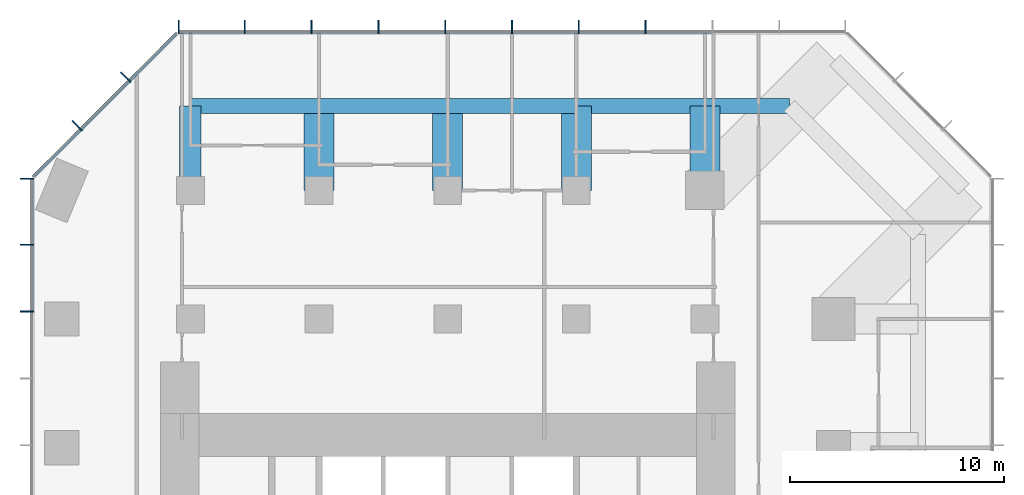
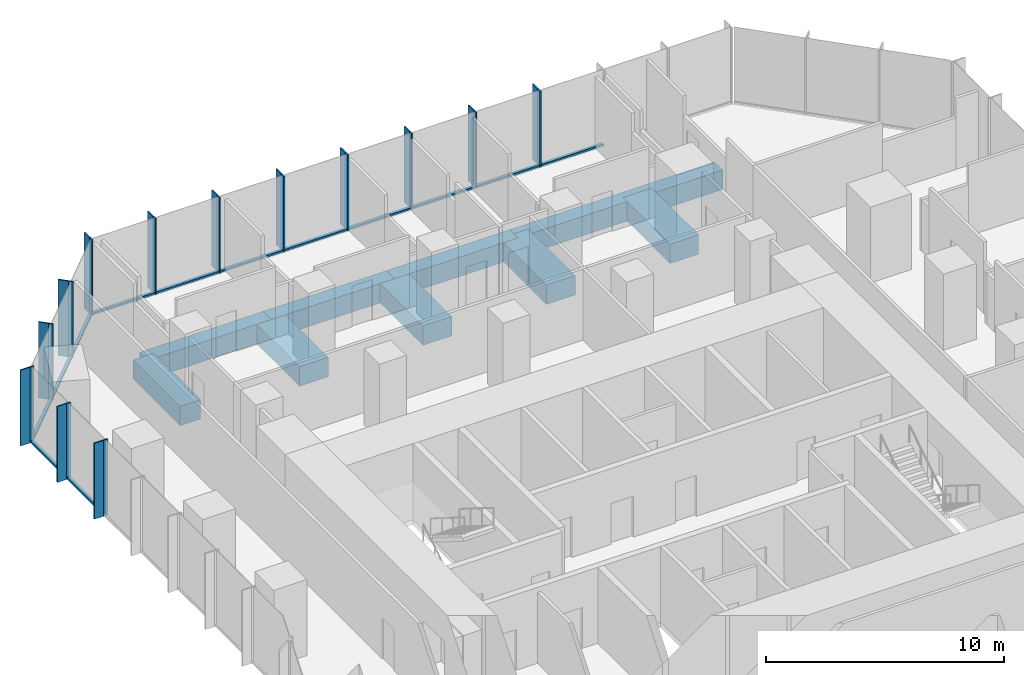
# One storey, part 5 of 11: 39 members, 9 beams, 3 elements without a shape of their own.
"""IFC4 building model written with IfcOpenShell, lengths in metres."""

import ifcopenshell
import ifcopenshell.guid

model = None  # the IFC model being written
_history = None  # IfcOwnerHistory: only IFC2X3 demands one
_inside = {}  # id of a spatial element -> (the spatial element, [elements in it])
_under = {}  # id of a project, library or spatial element -> (it, [spatial elements below it])
_declared = {}  # id of a project -> (the project, [libraries it declares])
_typed = {}  # id of a type object -> (the type object, [elements of that type])
_made_of = {}  # id of a material, layer set ... -> (it, [elements and type objects made of it])


def new_model(schema):
    """Start an empty IFC model of exactly this schema.

    Asked for "IFC4X3", IfcOpenShell would pick the latest addendum, in which some entities
    have other attributes; the version numbers below select the first issue.
    IFC2X3 requires an IfcOwnerHistory on every rooted entity: one is made here for all.
    """
    global model, _history
    if schema == "IFC4X3":
        model = ifcopenshell.file(schema_version=(4, 3, 0, 0))
    else:
        model = ifcopenshell.file(schema=schema)
    _inside.clear()
    _under.clear()
    _declared.clear()
    _typed.clear()
    _made_of.clear()
    _history = None
    if model.schema == "IFC2X3":
        org = make("IfcOrganization", Name="unknown")
        user = make(
            "IfcPersonAndOrganization",
            ThePerson=make("IfcPerson", FamilyName="unknown"),
            TheOrganization=org,
        )
        app = make(
            "IfcApplication",
            ApplicationDeveloper=org,
            Version="unknown",
            ApplicationFullName="unknown",
            ApplicationIdentifier="unknown",
        )
        _history = make(
            "IfcOwnerHistory",
            OwningUser=user,
            OwningApplication=app,
            ChangeAction="ADDED",
            CreationDate=0,
        )
    return model


def make(cls, **values):
    """One entity of the class cls with the attributes given. An attribute that is None is left unset."""
    return model.create_entity(
        cls, **{name: value for name, value in values.items() if value is not None}
    )


def rooted(cls, **values):
    """An entity with a GlobalId (a new one), such as an element, a storey or a relation."""
    return make(cls, GlobalId=ifcopenshell.guid.new(), OwnerHistory=_history, **values)


def si_unit(unit_type, name, prefix=None):
    """IfcSIUnit, for example si_unit("LENGTHUNIT", "METRE", prefix="MILLI")."""
    return make("IfcSIUnit", UnitType=unit_type, Prefix=prefix, Name=name)


def assignment(units):
    """IfcUnitAssignment: the units of a project."""
    return None if units is None else make("IfcUnitAssignment", Units=units)


def point(xyz):
    """IfcCartesianPoint."""
    return None if xyz is None else make("IfcCartesianPoint", Coordinates=xyz)


def direction(xyz):
    """IfcDirection."""
    return None if xyz is None else make("IfcDirection", DirectionRatios=xyz)


def frame(location, z_axis=None, x_axis=None):
    """IfcAxis2Placement3D, a coordinate frame: its origin and axes. An axis left out is left unset."""
    return make(
        "IfcAxis2Placement3D",
        Location=point(location),
        Axis=direction(z_axis),
        RefDirection=direction(x_axis),
    )


def frame_2d(location, x_axis=None):
    """IfcAxis2Placement2D, a coordinate frame in the plane: its origin and x axis."""
    return make(
        "IfcAxis2Placement2D", Location=point(location), RefDirection=direction(x_axis)
    )


def origin():
    """The frame at (0, 0, 0) with its axes left unset."""
    return frame((0.0, 0.0, 0.0))


def origin_2d():
    """The frame at (0, 0) in the plane with its x axis left unset."""
    return frame_2d((0.0, 0.0))


def place(relative_to, where):
    """IfcLocalPlacement: puts the frame where relative to a parent placement (None: the world)."""
    return make(
        "IfcLocalPlacement", PlacementRelTo=relative_to, RelativePlacement=where
    )


def context(
    kind, dimensions, precision=None, world=None, true_north=None, identifier=None
):
    """IfcGeometricRepresentationContext, for example the 3D "Model" context."""
    return make(
        "IfcGeometricRepresentationContext",
        ContextIdentifier=identifier,
        ContextType=kind,
        CoordinateSpaceDimension=dimensions,
        Precision=precision,
        WorldCoordinateSystem=world,
        TrueNorth=true_north,
    )


def subcontext(parent, identifier, kind, view, scale=None):
    """IfcGeometricRepresentationSubContext, for example "Body" below "Model"."""
    return make(
        "IfcGeometricRepresentationSubContext",
        ContextIdentifier=identifier,
        ContextType=kind,
        ParentContext=parent,
        TargetScale=scale,
        TargetView=view,
    )


def project(units=None, contexts=None):
    """IfcProject with its units and contexts."""
    return rooted(
        "IfcProject",
        Name="project",
        RepresentationContexts=contexts,
        UnitsInContext=assignment(units),
    )


def spatial(cls, under=None, at=None, **own):
    """A site, building, storey or space (cls), placed at a placement, below another one or the project."""
    s = rooted(cls, ObjectPlacement=at, **own)
    if under is not None:
        _under.setdefault(under.id(), (under, []))[1].append(s)
    return s


def profile(cls, at=None, kind="AREA", **sizes):
    """A parametric profile (cls). Its sizes go by their IFC names, for example OverallWidth=200.0."""
    return make(cls, ProfileType=kind, Position=at, **sizes)


def rectangle(**sizes):
    """IfcRectangleProfileDef."""
    return profile("IfcRectangleProfileDef", **sizes)


def extrude(swept, where, along, depth):
    """IfcExtrudedAreaSolid: the profile swept, set in the frame where, extruded along a direction by depth."""
    return make(
        "IfcExtrudedAreaSolid",
        SweptArea=swept,
        Position=where,
        ExtrudedDirection=direction(along),
        Depth=depth,
    )


def shape(context_of_items, identifier, shape_type, items):
    """IfcShapeRepresentation: the items that make up one representation, for example the "Body"."""
    return make(
        "IfcShapeRepresentation",
        ContextOfItems=context_of_items,
        RepresentationIdentifier=identifier,
        RepresentationType=shape_type,
        Items=items,
    )


def material(Name=None, Category=None):
    """IfcMaterial."""
    return make("IfcMaterial", Name=Name, Category=Category)


def layer(
    of_material, thickness, ventilated=None, Name=None, Category=None, Priority=None
):
    """IfcMaterialLayer: one layer of a wall or slab, of a material (None: an air gap)."""
    return make(
        "IfcMaterialLayer",
        Material=of_material,
        LayerThickness=thickness,
        IsVentilated=ventilated,
        Name=Name,
        Category=Category,
        Priority=Priority,
    )


def layer_set(layers, Name=None):
    """IfcMaterialLayerSet."""
    return make("IfcMaterialLayerSet", MaterialLayers=layers, LayerSetName=Name)


def material_profile(
    of_material, cross_section, Name=None, Category=None, Priority=None
):
    """IfcMaterialProfile: a cross section and its material."""
    return make(
        "IfcMaterialProfile",
        Name=Name,
        Material=of_material,
        Profile=cross_section,
        Priority=Priority,
        Category=Category,
    )


def profile_set(profiles, Name=None, composite=None):
    """IfcMaterialProfileSet."""
    return make(
        "IfcMaterialProfileSet",
        Name=Name,
        MaterialProfiles=profiles,
        CompositeProfile=composite,
    )


def made_of(thing, what):
    """Note that an element or type object is made of a material, layer set ...; save() writes the relation."""
    if what is not None:
        _made_of.setdefault(what.id(), (what, []))[1].append(thing)
    return thing


def type_object(cls, material=None, **own):
    """A type object (cls), such as IfcWallType, which elements share."""
    return made_of(rooted(cls, **own), material)


def element(
    cls,
    number,
    at=None,
    inside=None,
    cuts=None,
    type_object=None,
    material=None,
    context=None,
    identifier="Body",
    shape_type=None,
    held_by="IfcProductDefinitionShape",
    body=None,
    shapes=None,
    **own,
):
    """One element of the class cls, such as IfcWall. Its Tag is "e" and its number.

    at: its placement. inside: the storey or other place that contains it. cuts: it is an
    opening in that element (IfcRelVoidsElement). A single representation is given by context,
    identifier, shape_type and body (its items); several are given by shapes. held_by: the class
    of the entity that holds the representations. save() writes the other relations.
    """
    e = rooted(cls, Tag="e%d" % number, ObjectPlacement=at, **own)
    if body is not None:
        shapes = [shape(context, identifier, shape_type, body)]
    if shapes is not None:
        e.Representation = make(held_by, Representations=shapes)
    if inside is not None:
        _inside.setdefault(inside.id(), (inside, []))[1].append(e)
    if cuts is not None:
        rooted(
            "IfcRelVoidsElement", RelatingBuildingElement=cuts, RelatedOpeningElement=e
        )
    if type_object is not None:
        _typed.setdefault(type_object.id(), (type_object, []))[1].append(e)
    return made_of(e, material)


def aggregate(whole, parts):
    """IfcRelAggregates: a whole, such as a stair, and the parts it consists of."""
    return rooted("IfcRelAggregates", RelatingObject=whole, RelatedObjects=parts)


def save(model, path):
    """Write the relations noted so far, then the file.

    IfcRelAggregates (storeys below a building ...), IfcRelContainedInSpatialStructure (elements
    in a storey), IfcRelDefinesByType, IfcRelAssociatesMaterial and IfcRelDeclares: one each for
    every whole, place, type object, material and project.
    """
    for whole, parts in _under.values():
        aggregate(whole, parts)
    for where, things in _inside.values():
        rooted(
            "IfcRelContainedInSpatialStructure",
            RelatedElements=things,
            RelatingStructure=where,
        )
    for kind, things in _typed.values():
        rooted("IfcRelDefinesByType", RelatedObjects=things, RelatingType=kind)
    for what, things in _made_of.values():
        rooted("IfcRelAssociatesMaterial", RelatedObjects=things, RelatingMaterial=what)
    for by, libraries in _declared.values():
        rooted("IfcRelDeclares", RelatingContext=by, RelatedDefinitions=libraries)
    model.write(path)


model = new_model("IFC4")

# Units and contexts
model_context = context("Model", 3, precision=1e-05, world=origin(), true_north=direction((0.0, 1.0)))
body_context = subcontext(model_context, "Body", "Model", "MODEL_VIEW")
ifc_project = project(units=[si_unit("LENGTHUNIT", "METRE"), si_unit("AREAUNIT", "SQUARE_METRE"), si_unit("VOLUMEUNIT", "CUBIC_METRE"), si_unit("PLANEANGLEUNIT", "RADIAN"), si_unit("MASSUNIT", "GRAM", prefix="KILO")], contexts=[model_context])

# Site, building, storey
site_placement = place(None, origin())
site = spatial("IfcSite", under=ifc_project, at=site_placement, CompositionType="ELEMENT")
building_placement = place(site_placement, origin())
building = spatial("IfcBuilding", under=site, at=building_placement, Name="Highveld Stack Headquarters", CompositionType="ELEMENT")
storey_placement = place(building_placement, frame((0.0, 0.0, 181.10009765625)))
storey = spatial("IfcBuildingStorey", under=building, at=storey_placement, Name="L44", CompositionType="ELEMENT", Elevation=181.10009765625)

# Beams
ifc_material_1 = material(Name="Concrete C60/75", Category="concrete")
ifc_material_profile_1 = material_profile(ifc_material_1, rectangle(XDim=1.0, YDim=1.0, at=origin_2d()), Name="RC 1000x1000")
ifc_profile_set_1 = profile_set([ifc_material_profile_1], Name="Concrete C60/75")
beam_type_1 = type_object("IfcBeamType", Name="CANTILEVER RIB RC 1000x1000", PredefinedType="USERDEFINED", material=ifc_profile_set_1)
beam_1_placement = place(storey_placement, frame((-6.0, 24.0, -0.75), z_axis=(0.0, 1.0, 0.0), x_axis=(-1.0, 0.0, 0.0)))
element("IfcBeam", 1, at=beam_1_placement, inside=storey, type_object=beam_type_1, Name="Cantilever rib 5/J L44", ObjectType="CANTILEVER RIB", PredefinedType="USERDEFINED", context=body_context, shape_type="SweptSolid", body=[
    extrude(rectangle(XDim=1.0, YDim=1.0, at=origin_2d()), origin(), (0.0, 0.0, 1.0), 3.949951171875),
])
ifc_material_2 = material(Name="Concrete C60/75", Category="concrete")
ifc_material_profile_2 = material_profile(ifc_material_2, rectangle(XDim=1.39990234375, YDim=1.0, at=origin_2d()), Name="RC 1400x1000")
ifc_profile_set_2 = profile_set([ifc_material_profile_2], Name="Concrete C60/75")
beam_type_2 = type_object("IfcBeamType", Name="CANTILEVER RIB RC 1400x1000", PredefinedType="USERDEFINED", material=ifc_profile_set_2)
for number, where, z_axis, x_axis, name in (
    (2, (0.0, 24.0, -0.75), (0.0, 1.0, 0.0), (-1.0, 0.0, 0.0), "Cantilever rib 6/J L44"),
    (3, (6.0, 24.0, -0.75), (0.0, 1.0, 0.0), (-1.0, 0.0, 0.0), "Cantilever rib 7/J L44"),
    (4, (12.0, 24.0, -0.75), (0.0, 1.0, 0.0), (-1.0, 0.0, 0.0), "Cantilever rib 8/J L44"),
    (5, (18.0, 24.0, -0.75), (0.0, 1.0, 0.0), (-1.0, 0.0, 0.0), "Cantilever rib 9/J L44"),
):
    element("IfcBeam", number, at=place(storey_placement, frame(where, z_axis=z_axis, x_axis=x_axis)), inside=storey, type_object=beam_type_2, Name=name, ObjectType="CANTILEVER RIB", PredefinedType="USERDEFINED", context=body_context, shape_type="SweptSolid", body=[
        extrude(rectangle(XDim=1.39990234375, YDim=1.0, at=origin_2d()), origin(), (0.0, 0.0, 1.0), 3.949951171875),
    ])

# Curtain wall, members
ifc_material_3 = material(Name="Aluminium bronze anodised", Category="aluminium")
ifc_layer_1 = layer(ifc_material_3, 0.199951171875)
ifc_layer_set_1 = layer_set([ifc_layer_1], Name="Aluminium bronze anodised")
curtain_wall_type_1 = type_object("IfcCurtainWallType", Name="CW1 TOWER UNITISED CURTAIN WALL", PredefinedType="NOTDEFINED", material=ifc_layer_set_1)
curtain_wall_1_placement = place(storey_placement, origin())
curtain_wall_1 = element("IfcCurtainWall", 6, at=curtain_wall_1_placement, inside=storey, type_object=curtain_wall_type_1, Name="Curtain wall CW1 L44 N", PredefinedType="NOTDEFINED")
ifc_material_4 = material(Name="Aluminium bronze anodised", Category="aluminium")
ifc_material_profile_3 = material_profile(ifc_material_4, rectangle(XDim=0.449951171875, YDim=0.06005859375, at=origin_2d()), Name="FIN 450x60")
ifc_profile_set_3 = profile_set([ifc_material_profile_3], Name="Aluminium bronze anodised")
member_type_1 = type_object("IfcMemberType", Name="CW1 BRONZE FIN 450x60", PredefinedType="USERDEFINED", material=ifc_profile_set_3)
member_1_placement = place(storey_placement, frame((15.23193359375, 31.72509765625, 0.0), z_axis=(0.0, 0.0, 1.0), x_axis=(0.0, -1.0, 0.0)))
member_1 = element("IfcMember", 7, at=member_1_placement, type_object=member_type_1, Name="CW1 fin L44 4", ObjectType="FIN", PredefinedType="USERDEFINED", context=body_context, shape_type="SweptSolid", body=[
    extrude(rectangle(XDim=0.449951171875, YDim=0.06005859375, at=origin_2d()), origin(), (0.0, 0.0, 1.0), 3.89990234375),
])
member_2_placement = place(storey_placement, frame((12.115966796875, 31.72509765625, 0.0), z_axis=(0.0, 0.0, 1.0), x_axis=(0.0, -1.0, 0.0)))
member_2 = element("IfcMember", 8, at=member_2_placement, type_object=member_type_1, Name="CW1 fin L44 5", ObjectType="FIN", PredefinedType="USERDEFINED", context=body_context, shape_type="SweptSolid", body=[
    extrude(rectangle(XDim=0.449951171875, YDim=0.06005859375, at=origin_2d()), origin(), (0.0, 0.0, 1.0), 3.89990234375),
])
member_3_placement = place(storey_placement, frame((9.0, 31.72509765625, 0.0), z_axis=(0.0, 0.0, 1.0), x_axis=(0.0, -1.0, 0.0)))
member_3 = element("IfcMember", 9, at=member_3_placement, type_object=member_type_1, Name="CW1 fin L44 6", ObjectType="FIN", PredefinedType="USERDEFINED", context=body_context, shape_type="SweptSolid", body=[
    extrude(rectangle(XDim=0.449951171875, YDim=0.06005859375, at=origin_2d()), origin(), (0.0, 0.0, 1.0), 3.89990234375),
])
member_4_placement = place(storey_placement, frame((5.884033203125, 31.72509765625, 0.0), z_axis=(0.0, 0.0, 1.0), x_axis=(0.0, -1.0, 0.0)))
member_4 = element("IfcMember", 10, at=member_4_placement, type_object=member_type_1, Name="CW1 fin L44 7", ObjectType="FIN", PredefinedType="USERDEFINED", context=body_context, shape_type="SweptSolid", body=[
    extrude(rectangle(XDim=0.449951171875, YDim=0.06005859375, at=origin_2d()), origin(), (0.0, 0.0, 1.0), 3.89990234375),
])
member_5_placement = place(storey_placement, frame((2.76806640625, 31.72509765625, 0.0), z_axis=(0.0, 0.0, 1.0), x_axis=(0.0, -1.0, 0.0)))
member_5 = element("IfcMember", 11, at=member_5_placement, type_object=member_type_1, Name="CW1 fin L44 8", ObjectType="FIN", PredefinedType="USERDEFINED", context=body_context, shape_type="SweptSolid", body=[
    extrude(rectangle(XDim=0.449951171875, YDim=0.06005859375, at=origin_2d()), origin(), (0.0, 0.0, 1.0), 3.89990234375),
])
member_6_placement = place(storey_placement, frame((-0.347900390625, 31.72509765625, 0.0), z_axis=(0.0, 0.0, 1.0), x_axis=(0.0, -1.0, 0.0)))
member_6 = element("IfcMember", 12, at=member_6_placement, type_object=member_type_1, Name="CW1 fin L44 9", ObjectType="FIN", PredefinedType="USERDEFINED", context=body_context, shape_type="SweptSolid", body=[
    extrude(rectangle(XDim=0.449951171875, YDim=0.06005859375, at=origin_2d()), origin(), (0.0, 0.0, 1.0), 3.89990234375),
])
member_7_placement = place(storey_placement, frame((-3.4638671875, 31.72509765625, 0.0), z_axis=(0.0, 0.0, 1.0), x_axis=(0.0, -1.0, 0.0)))
member_7 = element("IfcMember", 13, at=member_7_placement, type_object=member_type_1, Name="CW1 fin L44 10", ObjectType="FIN", PredefinedType="USERDEFINED", context=body_context, shape_type="SweptSolid", body=[
    extrude(rectangle(XDim=0.449951171875, YDim=0.06005859375, at=origin_2d()), origin(), (0.0, 0.0, 1.0), 3.89990234375),
])
member_8_placement = place(storey_placement, frame((-6.54736328125, 31.72509765625, 0.0), z_axis=(0.0, 0.0, 1.0), x_axis=(0.0, -1.0, 0.0)))
member_8 = element("IfcMember", 14, at=member_8_placement, type_object=member_type_1, Name="CW1 fin L44 11", ObjectType="FIN", PredefinedType="USERDEFINED", context=body_context, shape_type="SweptSolid", body=[
    extrude(rectangle(XDim=0.449951171875, YDim=0.06005859375, at=origin_2d()), origin(), (0.0, 0.0, 1.0), 3.89990234375),
])

curtain_wall_2_placement = place(storey_placement, origin())
curtain_wall_2 = element("IfcCurtainWall", 15, at=curtain_wall_2_placement, inside=storey, type_object=curtain_wall_type_1, Name="Curtain wall CW1 L44 W", PredefinedType="NOTDEFINED")
member_9_placement = place(storey_placement, frame((-13.72509765625, 24.54736328125, 0.0), z_axis=(0.0, 0.0, 1.0), x_axis=(1.0, 0.0, 0.0)))
member_9 = element("IfcMember", 16, at=member_9_placement, type_object=member_type_1, Name="CW1 fin L44 1", ObjectType="FIN", PredefinedType="USERDEFINED", context=body_context, shape_type="SweptSolid", body=[
    extrude(rectangle(XDim=0.449951171875, YDim=0.06005859375, at=origin_2d()), origin(), (0.0, 0.0, 1.0), 3.89990234375),
])
member_10_placement = place(storey_placement, frame((-13.72509765625, 21.4638671875, 0.0), z_axis=(0.0, 0.0, 1.0), x_axis=(1.0, 0.0, 0.0)))
member_10 = element("IfcMember", 17, at=member_10_placement, type_object=member_type_1, Name="CW1 fin L44 2", ObjectType="FIN", PredefinedType="USERDEFINED", context=body_context, shape_type="SweptSolid", body=[
    extrude(rectangle(XDim=0.449951171875, YDim=0.06005859375, at=origin_2d()), origin(), (0.0, 0.0, 1.0), 3.89990234375),
])
member_11_placement = place(storey_placement, frame((-13.72509765625, 18.347900390625, 0.0), z_axis=(0.0, 0.0, 1.0), x_axis=(1.0, 0.0, 0.0)))
member_11 = element("IfcMember", 18, at=member_11_placement, type_object=member_type_1, Name="CW1 fin L44 3", ObjectType="FIN", PredefinedType="USERDEFINED", context=body_context, shape_type="SweptSolid", body=[
    extrude(rectangle(XDim=0.449951171875, YDim=0.06005859375, at=origin_2d()), origin(), (0.0, 0.0, 1.0), 3.89990234375),
])

# Member
ifc_material_5 = material(Name="Aluminium bronze anodised", Category="aluminium")
ifc_material_profile_4 = material_profile(ifc_material_5, rectangle(XDim=0.199951171875, YDim=0.06494140625, at=origin_2d()), Name="CW1 MULLION 65x200")
ifc_profile_set_4 = profile_set([ifc_material_profile_4], Name="Aluminium bronze anodised")
member_type_2 = type_object("IfcMemberType", Name="CW1 MULLION 65x200", PredefinedType="MULLION", material=ifc_profile_set_4)
member_12_placement = place(storey_placement, frame((15.23193359375, 31.39990234375, 0.0), z_axis=(0.0, 0.0, 1.0), x_axis=(0.0, -1.0, 0.0)))
member_12 = element("IfcMember", 19, at=member_12_placement, type_object=member_type_2, Name="CW1 mullion L44 4", PredefinedType="MULLION", context=body_context, shape_type="SweptSolid", body=[
    extrude(rectangle(XDim=0.199951171875, YDim=0.06494140625, at=origin_2d()), origin(), (0.0, 0.0, 1.0), 3.89990234375),
])

member_13_placement = place(storey_placement, frame((12.115966796875, 31.39990234375, 0.0), z_axis=(0.0, 0.0, 1.0), x_axis=(0.0, -1.0, 0.0)))
member_13 = element("IfcMember", 20, at=member_13_placement, type_object=member_type_2, Name="CW1 mullion L44 5", PredefinedType="MULLION", context=body_context, shape_type="SweptSolid", body=[
    extrude(rectangle(XDim=0.199951171875, YDim=0.06494140625, at=origin_2d()), origin(), (0.0, 0.0, 1.0), 3.89990234375),
])

member_14_placement = place(storey_placement, frame((9.0, 31.39990234375, 0.0), z_axis=(0.0, 0.0, 1.0), x_axis=(0.0, -1.0, 0.0)))
member_14 = element("IfcMember", 21, at=member_14_placement, type_object=member_type_2, Name="CW1 mullion L44 6", PredefinedType="MULLION", context=body_context, shape_type="SweptSolid", body=[
    extrude(rectangle(XDim=0.199951171875, YDim=0.06494140625, at=origin_2d()), origin(), (0.0, 0.0, 1.0), 3.89990234375),
])

member_15_placement = place(storey_placement, frame((5.884033203125, 31.39990234375, 0.0), z_axis=(0.0, 0.0, 1.0), x_axis=(0.0, -1.0, 0.0)))
member_15 = element("IfcMember", 22, at=member_15_placement, type_object=member_type_2, Name="CW1 mullion L44 7", PredefinedType="MULLION", context=body_context, shape_type="SweptSolid", body=[
    extrude(rectangle(XDim=0.199951171875, YDim=0.06494140625, at=origin_2d()), origin(), (0.0, 0.0, 1.0), 3.89990234375),
])

member_16_placement = place(storey_placement, frame((2.76806640625, 31.39990234375, 0.0), z_axis=(0.0, 0.0, 1.0), x_axis=(0.0, -1.0, 0.0)))
member_16 = element("IfcMember", 23, at=member_16_placement, type_object=member_type_2, Name="CW1 mullion L44 8", PredefinedType="MULLION", context=body_context, shape_type="SweptSolid", body=[
    extrude(rectangle(XDim=0.199951171875, YDim=0.06494140625, at=origin_2d()), origin(), (0.0, 0.0, 1.0), 3.89990234375),
])

member_17_placement = place(storey_placement, frame((-0.347900390625, 31.39990234375, 0.0), z_axis=(0.0, 0.0, 1.0), x_axis=(0.0, -1.0, 0.0)))
member_17 = element("IfcMember", 24, at=member_17_placement, type_object=member_type_2, Name="CW1 mullion L44 9", PredefinedType="MULLION", context=body_context, shape_type="SweptSolid", body=[
    extrude(rectangle(XDim=0.199951171875, YDim=0.06494140625, at=origin_2d()), origin(), (0.0, 0.0, 1.0), 3.89990234375),
])

member_18_placement = place(storey_placement, frame((-3.4638671875, 31.39990234375, 0.0), z_axis=(0.0, 0.0, 1.0), x_axis=(0.0, -1.0, 0.0)))
member_18 = element("IfcMember", 25, at=member_18_placement, type_object=member_type_2, Name="CW1 mullion L44 10", PredefinedType="MULLION", context=body_context, shape_type="SweptSolid", body=[
    extrude(rectangle(XDim=0.199951171875, YDim=0.06494140625, at=origin_2d()), origin(), (0.0, 0.0, 1.0), 3.89990234375),
])

member_19_placement = place(storey_placement, frame((-6.54736328125, 31.39990234375, 0.0), z_axis=(0.0, 0.0, 1.0), x_axis=(0.0, -1.0, 0.0)))
member_19 = element("IfcMember", 26, at=member_19_placement, type_object=member_type_2, Name="CW1 mullion L44 11", PredefinedType="MULLION", context=body_context, shape_type="SweptSolid", body=[
    extrude(rectangle(XDim=0.199951171875, YDim=0.06494140625, at=origin_2d()), origin(), (0.0, 0.0, 1.0), 3.89990234375),
])

member_20_placement = place(storey_placement, frame((-13.39990234375, 24.54736328125, 0.0), z_axis=(0.0, 0.0, 1.0), x_axis=(1.0, 0.0, 0.0)))
member_20 = element("IfcMember", 27, at=member_20_placement, type_object=member_type_2, Name="CW1 mullion L44 1", PredefinedType="MULLION", context=body_context, shape_type="SweptSolid", body=[
    extrude(rectangle(XDim=0.199951171875, YDim=0.06494140625, at=origin_2d()), origin(), (0.0, 0.0, 1.0), 3.89990234375),
])

member_21_placement = place(storey_placement, frame((-13.39990234375, 21.4638671875, 0.0), z_axis=(0.0, 0.0, 1.0), x_axis=(1.0, 0.0, 0.0)))
member_21 = element("IfcMember", 28, at=member_21_placement, type_object=member_type_2, Name="CW1 mullion L44 2", PredefinedType="MULLION", context=body_context, shape_type="SweptSolid", body=[
    extrude(rectangle(XDim=0.199951171875, YDim=0.06494140625, at=origin_2d()), origin(), (0.0, 0.0, 1.0), 3.89990234375),
])

member_22_placement = place(storey_placement, frame((-13.39990234375, 18.347900390625, 0.0), z_axis=(0.0, 0.0, 1.0), x_axis=(1.0, 0.0, 0.0)))
member_22 = element("IfcMember", 29, at=member_22_placement, type_object=member_type_2, Name="CW1 mullion L44 3", PredefinedType="MULLION", context=body_context, shape_type="SweptSolid", body=[
    extrude(rectangle(XDim=0.199951171875, YDim=0.06494140625, at=origin_2d()), origin(), (0.0, 0.0, 1.0), 3.89990234375),
])

ifc_material_6 = material(Name="Aluminium bronze anodised", Category="aluminium")
ifc_material_profile_5 = material_profile(ifc_material_6, rectangle(XDim=0.14990234375, YDim=0.10009765625, at=origin_2d()), Name="CW1 TRANSOM 150x100")
ifc_profile_set_5 = profile_set([ifc_material_profile_5], Name="Aluminium bronze anodised")
member_type_3 = type_object("IfcMemberType", Name="CW1 STACK TRANSOM 150x100", PredefinedType="USERDEFINED", material=ifc_profile_set_5)
member_23_placement = place(storey_placement, frame((18.3154296875, 31.39990234375, 0.0498046875), z_axis=(-1.0, 0.0, 0.0), x_axis=(0.0, -1.0, 0.0)))
member_23 = element("IfcMember", 30, at=member_23_placement, type_object=member_type_3, Name="CW1 transom L44 3.1", ObjectType="TRANSOM", PredefinedType="USERDEFINED", context=body_context, shape_type="SweptSolid", body=[
    extrude(rectangle(XDim=0.14990234375, YDim=0.10009765625, at=origin_2d()), origin(), (0.0, 0.0, 1.0), 3.051025390625),
])

member_24_placement = place(storey_placement, frame((15.199462890625, 31.39990234375, 0.0498046875), z_axis=(-1.0, 0.0, 0.0), x_axis=(0.0, -1.0, 0.0)))
member_24 = element("IfcMember", 31, at=member_24_placement, type_object=member_type_3, Name="CW1 transom L44 4.1", ObjectType="TRANSOM", PredefinedType="USERDEFINED", context=body_context, shape_type="SweptSolid", body=[
    extrude(rectangle(XDim=0.14990234375, YDim=0.10009765625, at=origin_2d()), origin(), (0.0, 0.0, 1.0), 3.051025390625),
])

member_25_placement = place(storey_placement, frame((12.08349609375, 31.39990234375, 0.0498046875), z_axis=(-1.0, 0.0, 0.0), x_axis=(0.0, -1.0, 0.0)))
member_25 = element("IfcMember", 32, at=member_25_placement, type_object=member_type_3, Name="CW1 transom L44 5.1", ObjectType="TRANSOM", PredefinedType="USERDEFINED", context=body_context, shape_type="SweptSolid", body=[
    extrude(rectangle(XDim=0.14990234375, YDim=0.10009765625, at=origin_2d()), origin(), (0.0, 0.0, 1.0), 3.051025390625),
])

member_26_placement = place(storey_placement, frame((8.967529296875, 31.39990234375, 0.0498046875), z_axis=(-1.0, 0.0, 0.0), x_axis=(0.0, -1.0, 0.0)))
member_26 = element("IfcMember", 33, at=member_26_placement, type_object=member_type_3, Name="CW1 transom L44 6.1", ObjectType="TRANSOM", PredefinedType="USERDEFINED", context=body_context, shape_type="SweptSolid", body=[
    extrude(rectangle(XDim=0.14990234375, YDim=0.10009765625, at=origin_2d()), origin(), (0.0, 0.0, 1.0), 3.051025390625),
])

member_27_placement = place(storey_placement, frame((5.8515625, 31.39990234375, 0.0498046875), z_axis=(-1.0, 0.0, 0.0), x_axis=(0.0, -1.0, 0.0)))
member_27 = element("IfcMember", 34, at=member_27_placement, type_object=member_type_3, Name="CW1 transom L44 7.1", ObjectType="TRANSOM", PredefinedType="USERDEFINED", context=body_context, shape_type="SweptSolid", body=[
    extrude(rectangle(XDim=0.14990234375, YDim=0.10009765625, at=origin_2d()), origin(), (0.0, 0.0, 1.0), 3.051025390625),
])

member_28_placement = place(storey_placement, frame((2.735595703125, 31.39990234375, 0.0498046875), z_axis=(-1.0, 0.0, 0.0), x_axis=(0.0, -1.0, 0.0)))
member_28 = element("IfcMember", 35, at=member_28_placement, type_object=member_type_3, Name="CW1 transom L44 8.1", ObjectType="TRANSOM", PredefinedType="USERDEFINED", context=body_context, shape_type="SweptSolid", body=[
    extrude(rectangle(XDim=0.14990234375, YDim=0.10009765625, at=origin_2d()), origin(), (0.0, 0.0, 1.0), 3.051025390625),
])

member_29_placement = place(storey_placement, frame((-0.38037109375, 31.39990234375, 0.0498046875), z_axis=(-1.0, 0.0, 0.0), x_axis=(0.0, -1.0, 0.0)))
member_29 = element("IfcMember", 36, at=member_29_placement, type_object=member_type_3, Name="CW1 transom L44 9.1", ObjectType="TRANSOM", PredefinedType="USERDEFINED", context=body_context, shape_type="SweptSolid", body=[
    extrude(rectangle(XDim=0.14990234375, YDim=0.10009765625, at=origin_2d()), origin(), (0.0, 0.0, 1.0), 3.051025390625),
])

member_30_placement = place(storey_placement, frame((-3.496337890625, 31.39990234375, 0.0498046875), z_axis=(-1.0, 0.0, 0.0), x_axis=(0.0, -1.0, 0.0)))
member_30 = element("IfcMember", 37, at=member_30_placement, type_object=member_type_3, Name="CW1 transom L44 10.1", ObjectType="TRANSOM", PredefinedType="USERDEFINED", context=body_context, shape_type="SweptSolid", body=[
    extrude(rectangle(XDim=0.14990234375, YDim=0.10009765625, at=origin_2d()), origin(), (0.0, 0.0, 1.0), 3.0185546875),
])

aggregate(curtain_wall_1, [member_12, member_1, member_13, member_2, member_14, member_3, member_15, member_4, member_16, member_5, member_17, member_6, member_18, member_7, member_19, member_8, member_23, member_24, member_25, member_26, member_27, member_28, member_29, member_30])

member_31_placement = place(storey_placement, frame((-13.39990234375, 24.514892578125, 0.0498046875), z_axis=(0.0, -1.0, 0.0), x_axis=(1.0, 0.0, 0.0)))
member_31 = element("IfcMember", 38, at=member_31_placement, type_object=member_type_3, Name="CW1 transom L44 1.1", ObjectType="TRANSOM", PredefinedType="USERDEFINED", context=body_context, shape_type="SweptSolid", body=[
    extrude(rectangle(XDim=0.14990234375, YDim=0.10009765625, at=origin_2d()), origin(), (0.0, 0.0, 1.0), 3.0185546875),
])

member_32_placement = place(storey_placement, frame((-13.39990234375, 21.431396484375, 0.0498046875), z_axis=(0.0, -1.0, 0.0), x_axis=(1.0, 0.0, 0.0)))
member_32 = element("IfcMember", 39, at=member_32_placement, type_object=member_type_3, Name="CW1 transom L44 2.1", ObjectType="TRANSOM", PredefinedType="USERDEFINED", context=body_context, shape_type="SweptSolid", body=[
    extrude(rectangle(XDim=0.14990234375, YDim=0.10009765625, at=origin_2d()), origin(), (0.0, 0.0, 1.0), 3.051025390625),
])

aggregate(curtain_wall_2, [member_20, member_9, member_21, member_10, member_22, member_11, member_31, member_32])

# Curtain wall, members
ifc_material_7 = material(Name="Aluminium bronze anodised", Category="aluminium")
ifc_layer_2 = layer(ifc_material_7, 0.199951171875)
ifc_layer_set_2 = layer_set([ifc_layer_2], Name="Aluminium bronze anodised")
curtain_wall_type_2 = type_object("IfcCurtainWallType", Name="CW2 TOWER CHAMFER UNITISED CURTAIN WALL", PredefinedType="NOTDEFINED", material=ifc_layer_set_2)
curtain_wall_3_placement = place(storey_placement, origin())
curtain_wall_3 = element("IfcCurtainWall", 40, at=curtain_wall_3_placement, inside=storey, type_object=curtain_wall_type_2, Name="Curtain wall CW2 L44 NW", PredefinedType="NOTDEFINED")
ifc_material_8 = material(Name="Aluminium bronze anodised", Category="aluminium")
ifc_material_profile_6 = material_profile(ifc_material_8, rectangle(XDim=0.449951171875, YDim=0.06005859375, at=origin_2d()), Name="FIN 450x60")
ifc_profile_set_6 = profile_set([ifc_material_profile_6], Name="Aluminium bronze anodised")
member_type_4 = type_object("IfcMemberType", Name="CW2 BRONZE FIN 450x60", PredefinedType="USERDEFINED", material=ifc_profile_set_6)
member_33_placement = place(storey_placement, frame((-9.0830078125, 29.3564453125, 0.0), z_axis=(0.0, 0.0, 1.0), x_axis=(0.707106781187, -0.707106781187, 0.0)))
member_33 = element("IfcMember", 41, at=member_33_placement, type_object=member_type_4, Name="CW2 fin L44 1", ObjectType="FIN", PredefinedType="USERDEFINED", context=body_context, shape_type="SweptSolid", body=[
    extrude(rectangle(XDim=0.449951171875, YDim=0.06005859375, at=origin_2d()), origin(), (0.0, 0.0, 1.0), 3.89990234375),
])
member_34_placement = place(storey_placement, frame((-11.3564453125, 27.0830078125, 0.0), z_axis=(0.0, 0.0, 1.0), x_axis=(0.707106781187, -0.707106781187, 0.0)))
member_34 = element("IfcMember", 42, at=member_34_placement, type_object=member_type_4, Name="CW2 fin L44 2", ObjectType="FIN", PredefinedType="USERDEFINED", context=body_context, shape_type="SweptSolid", body=[
    extrude(rectangle(XDim=0.449951171875, YDim=0.06005859375, at=origin_2d()), origin(), (0.0, 0.0, 1.0), 3.89990234375),
])
ifc_material_9 = material(Name="Aluminium bronze anodised", Category="aluminium")
ifc_material_profile_7 = material_profile(ifc_material_9, rectangle(XDim=0.199951171875, YDim=0.06494140625, at=origin_2d()), Name="CW2 MULLION 65x200")
ifc_profile_set_7 = profile_set([ifc_material_profile_7], Name="Aluminium bronze anodised")
member_type_5 = type_object("IfcMemberType", Name="CW2 MULLION 65x200", PredefinedType="MULLION", material=ifc_profile_set_7)
member_35_placement = place(storey_placement, frame((-8.853271484375, 29.126708984375, 0.0), z_axis=(0.0, 0.0, 1.0), x_axis=(0.707106781187, -0.707106781187, 0.0)))
member_35 = element("IfcMember", 43, at=member_35_placement, type_object=member_type_5, Name="CW2 mullion L44 1", PredefinedType="MULLION", context=body_context, shape_type="SweptSolid", body=[
    extrude(rectangle(XDim=0.199951171875, YDim=0.06494140625, at=origin_2d()), origin(), (0.0, 0.0, 1.0), 3.89990234375),
])
member_36_placement = place(storey_placement, frame((-11.126708984375, 26.853271484375, 0.0), z_axis=(0.0, 0.0, 1.0), x_axis=(0.707106781187, -0.707106781187, 0.0)))
member_36 = element("IfcMember", 44, at=member_36_placement, type_object=member_type_5, Name="CW2 mullion L44 2", PredefinedType="MULLION", context=body_context, shape_type="SweptSolid", body=[
    extrude(rectangle(XDim=0.199951171875, YDim=0.06494140625, at=origin_2d()), origin(), (0.0, 0.0, 1.0), 3.89990234375),
])
ifc_material_10 = material(Name="Aluminium bronze anodised", Category="aluminium")
ifc_material_profile_8 = material_profile(ifc_material_10, rectangle(XDim=0.14990234375, YDim=0.10009765625, at=origin_2d()), Name="CW2 TRANSOM 150x100")
ifc_profile_set_8 = profile_set([ifc_material_profile_8], Name="Aluminium bronze anodised")
member_type_6 = type_object("IfcMemberType", Name="CW2 STACK TRANSOM 150x100", PredefinedType="USERDEFINED", material=ifc_profile_set_8)
member_37_placement = place(storey_placement, frame((-6.650634765625, 31.329345703125, 0.0498046875), z_axis=(-0.707106781187, -0.707106781187, 0.0), x_axis=(0.707106781187, -0.707106781187, 0.0)))
member_37 = element("IfcMember", 45, at=member_37_placement, type_object=member_type_6, Name="CW2 transom L44 1.1", ObjectType="TRANSOM", PredefinedType="USERDEFINED", context=body_context, shape_type="SweptSolid", body=[
    extrude(rectangle(XDim=0.14990234375, YDim=0.10009765625, at=origin_2d()), origin(), (0.0, 0.0, 1.0), 3.08251953125),
])
member_38_placement = place(storey_placement, frame((-8.876220703125, 29.103759765625, 0.0498046875), z_axis=(-0.707106781187, -0.707106781187, 0.0), x_axis=(0.707106781187, -0.707106781187, 0.0)))
member_38 = element("IfcMember", 46, at=member_38_placement, type_object=member_type_6, Name="CW2 transom L44 2.1", ObjectType="TRANSOM", PredefinedType="USERDEFINED", context=body_context, shape_type="SweptSolid", body=[
    extrude(rectangle(XDim=0.14990234375, YDim=0.10009765625, at=origin_2d()), origin(), (0.0, 0.0, 1.0), 3.150146484375),
])
member_39_placement = place(storey_placement, frame((-11.149658203125, 26.830322265625, 0.0498046875), z_axis=(-0.707106781187, -0.707106781187, 0.0), x_axis=(0.707106781187, -0.707106781187, 0.0)))
member_39 = element("IfcMember", 47, at=member_39_placement, type_object=member_type_6, Name="CW2 transom L44 3.1", ObjectType="TRANSOM", PredefinedType="USERDEFINED", context=body_context, shape_type="SweptSolid", body=[
    extrude(rectangle(XDim=0.14990234375, YDim=0.10009765625, at=origin_2d()), origin(), (0.0, 0.0, 1.0), 3.08251953125),
])
aggregate(curtain_wall_3, [member_35, member_33, member_36, member_34, member_37, member_38, member_39])

# Beams
ifc_material_11 = material(Name="Concrete C60/75", Category="concrete")
ifc_material_profile_9 = material_profile(ifc_material_11, rectangle(XDim=0.699951171875, YDim=1.0, at=origin_2d()), Name="RC 700x1000")
ifc_profile_set_9 = profile_set([ifc_material_profile_9], Name="Concrete C60/75")
beam_type_3 = type_object("IfcBeamType", Name="RIB TIP BEAM RC 700x1000", PredefinedType="SPANDREL", material=ifc_profile_set_9)
for number, where, z_axis, x_axis, name in (
    (48, (-6.0, 27.949951171875, -0.75), (1.0, 0.0, 0.0), (0.0, 1.0, 0.0), "Rib tip beam 5/J to 6/J L44"),
    (49, (0.0, 27.949951171875, -0.75), (1.0, 0.0, 0.0), (0.0, 1.0, 0.0), "Rib tip beam 6/J to 7/J L44"),
    (50, (6.0, 27.949951171875, -0.75), (1.0, 0.0, 0.0), (0.0, 1.0, 0.0), "Rib tip beam 7/J to 8/J L44"),
):
    element("IfcBeam", number, at=place(storey_placement, frame(where, z_axis=z_axis, x_axis=x_axis)), inside=storey, type_object=beam_type_3, Name=name, PredefinedType="SPANDREL", context=body_context, shape_type="SweptSolid", body=[
        extrude(rectangle(XDim=0.699951171875, YDim=1.0, at=origin_2d()), origin(), (0.0, 0.0, 1.0), 6.0),
    ])
beam_2_placement = place(storey_placement, frame((12.0, 27.949951171875, -0.75), z_axis=(1.0, 0.0, 0.0), x_axis=(0.0, 1.0, 0.0)))
element("IfcBeam", 51, at=beam_2_placement, inside=storey, type_object=beam_type_3, Name="Rib tip beam 8/J to 9/J L44", PredefinedType="SPANDREL", context=body_context, shape_type="SweptSolid", body=[
    extrude(rectangle(XDim=0.699951171875, YDim=1.0, at=origin_2d()), origin(), (0.0, 0.0, 1.0), 9.949951171875),
])

save(model, "model.ifc")
